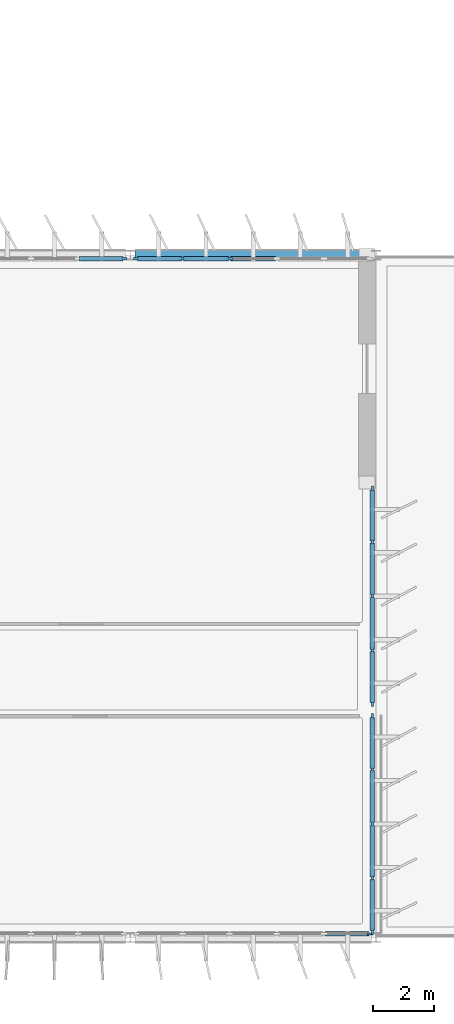
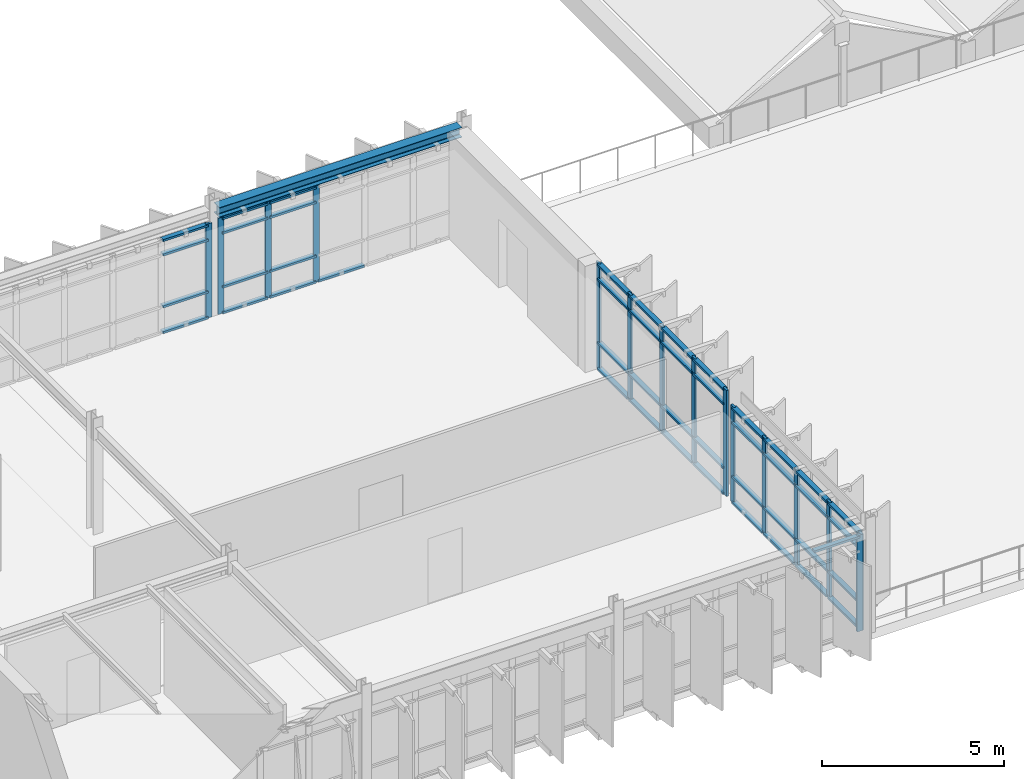
# One storey, part 13 of 35: 61 members, 1 beam, 5 elements without a shape of their own.
"""IFC4 building model written with IfcOpenShell, lengths in metres."""

from ifc_helpers import new_model, si_unit, direction, frame, origin, origin_2d, place, context, subcontext, project, spatial, rectangle, i_section, extrude, material, layer, layer_set, material_profile, profile_set, type_object, element, aggregate, save


model = new_model("IFC4")

# Units and contexts
model_context = context("Model", 3, precision=1e-05, world=origin(), true_north=direction((0.0, 1.0)))
body_context = subcontext(model_context, "Body", "Model", "MODEL_VIEW")
ifc_project = project(units=[si_unit("LENGTHUNIT", "METRE"), si_unit("AREAUNIT", "SQUARE_METRE"), si_unit("VOLUMEUNIT", "CUBIC_METRE"), si_unit("PLANEANGLEUNIT", "RADIAN"), si_unit("MASSUNIT", "GRAM", prefix="KILO")], contexts=[model_context])

# Site, building, storey
site_placement = place(None, origin())
site = spatial("IfcSite", under=ifc_project, at=site_placement, CompositionType="ELEMENT")
building_placement = place(site_placement, origin())
building = spatial("IfcBuilding", under=site, at=building_placement, Name="Valkorina Park Police Headquarters", CompositionType="ELEMENT")
storey_placement = place(building_placement, frame((0.0, 0.0, 27.199951171875)))
storey = spatial("IfcBuildingStorey", under=building, at=storey_placement, Name="L07", CompositionType="ELEMENT", Elevation=27.199951171875)

# Beam
ifc_material_1 = material(Name="Steel S355", Category="steel")
ifc_material_profile_1 = material_profile(ifc_material_1, i_section(OverallWidth=0.300048828125, OverallDepth=0.330078125, WebThickness=0.009521484375, FlangeThickness=0.0166015625, FilletRadius=0.027099609375, at=origin_2d()), Name="HEA 340")
ifc_profile_set_1 = profile_set([ifc_material_profile_1], Name="Steel S355")
beam_type = type_object("IfcBeamType", Name="BM-S355-HEA340-SPN", PredefinedType="SPANDREL", material=ifc_profile_set_1)
beam_placement = place(storey_placement, frame((64.949951171875, 59.199951171875, 3.405029296875), z_axis=(1.0, 0.0, 0.0), x_axis=(0.0, 1.0, 0.0)))
element("IfcBeam", 1, at=beam_placement, inside=storey, type_object=beam_type, Name="L07 Framing Beam 2752", PredefinedType="SPANDREL", context=body_context, shape_type="SweptSolid", body=[
    extrude(i_section(OverallWidth=0.300048828125, OverallDepth=0.330078125, WebThickness=0.009521484375, FlangeThickness=0.0166015625, FilletRadius=0.027099609375, at=origin_2d()), origin(), (0.0, 0.0, 1.0), 7.699951171875),
])

# Curtain wall, member
ifc_material_2 = material(Name="Thermally broken aluminium AW-6060", Category="aluminium")
ifc_layer_1 = layer(ifc_material_2, 0.18994140625)
ifc_layer_set_1 = layer_set([ifc_layer_1], Name="Thermally broken aluminium AW-6060")
curtain_wall_type_1 = type_object("IfcCurtainWallType", Name="CW-V5-7680x3230", PredefinedType="NOTDEFINED", material=ifc_layer_set_1)
curtain_wall_1_placement = place(storey_placement, origin())
curtain_wall_1 = element("IfcCurtainWall", 2, at=curtain_wall_1_placement, inside=storey, type_object=curtain_wall_type_1, Name="L07 Unitised Curtain Wall 133", PredefinedType="NOTDEFINED")
ifc_material_profile_2 = material_profile(ifc_material_2, rectangle(XDim=0.070068359375, YDim=0.18994140625, at=origin_2d()), Name="CWM-02 70x190")
ifc_profile_set_2 = profile_set([ifc_material_profile_2], Name="Thermally broken aluminium AW-6060")
member_type_1 = type_object("IfcMemberType", Name="CWM-70x190", PredefinedType="MULLION", material=ifc_profile_set_2)
member_1_placement = place(storey_placement, frame((72.60498046875, 37.1201171875, 0.0), z_axis=(0.0, 0.0, 1.0), x_axis=(0.0, -1.0, 0.0)))
member_1 = element("IfcMember", 3, at=member_1_placement, type_object=member_type_1, Name="CW-V5-768-323 mullion 1", PredefinedType="MULLION", context=body_context, shape_type="SweptSolid", body=[
    extrude(rectangle(XDim=0.070068359375, YDim=0.18994140625, at=origin_2d()), origin(), (0.0, 0.0, 1.0), 3.22998046875),
])

ifc_layer_2 = layer(ifc_material_2, 0.18994140625)
ifc_layer_set_2 = layer_set([ifc_layer_2], Name="Thermally broken aluminium AW-6060")
curtain_wall_type_2 = type_object("IfcCurtainWallType", Name="CW-V5-7680x3160", PredefinedType="NOTDEFINED", material=ifc_layer_set_2)
curtain_wall_2_placement = place(storey_placement, origin())
curtain_wall_2 = element("IfcCurtainWall", 4, at=curtain_wall_2_placement, inside=storey, type_object=curtain_wall_type_2, Name="L07 Unitised Curtain Wall 152", PredefinedType="NOTDEFINED")
member_2_placement = place(storey_placement, frame((64.60498046875, 59.080078125, 0.0), z_axis=(0.0, 0.0, 1.0), x_axis=(0.0, 1.0, 0.0)))
member_2 = element("IfcMember", 5, at=member_2_placement, type_object=member_type_1, Name="CW-V5-768-316 mullion 6", PredefinedType="MULLION", context=body_context, shape_type="SweptSolid", body=[
    extrude(rectangle(XDim=0.070068359375, YDim=0.18994140625, at=origin_2d()), origin(), (0.0, 0.0, 1.0), 3.16015625),
])

# Curtain wall, members
curtain_wall_3_placement = place(storey_placement, origin())
curtain_wall_3 = element("IfcCurtainWall", 6, at=curtain_wall_3_placement, inside=storey, type_object=curtain_wall_type_1, Name="L07 Unitised Curtain Wall 153", PredefinedType="NOTDEFINED")
member_3_placement = place(storey_placement, frame((64.9951171875, 59.080078125, 0.0), z_axis=(0.0, 0.0, 1.0), x_axis=(0.0, 1.0, 0.0)))
member_3 = element("IfcMember", 7, at=member_3_placement, type_object=member_type_1, Name="CW-V5-768-323 mullion 1", PredefinedType="MULLION", context=body_context, shape_type="SweptSolid", body=[
    extrude(rectangle(XDim=0.070068359375, YDim=0.18994140625, at=origin_2d()), origin(), (0.0, 0.0, 1.0), 3.22998046875),
])
member_4_placement = place(storey_placement, frame((66.49609375, 59.080078125, 0.0), z_axis=(0.0, 0.0, 1.0), x_axis=(0.0, 1.0, 0.0)))
member_4 = element("IfcMember", 8, at=member_4_placement, type_object=member_type_1, Name="CW-V5-768-323 mullion 2", PredefinedType="MULLION", context=body_context, shape_type="SweptSolid", body=[
    extrude(rectangle(XDim=0.070068359375, YDim=0.18994140625, at=origin_2d()), origin(), (0.0, 0.0, 1.0), 3.22998046875),
])
member_5_placement = place(storey_placement, frame((68.031982421875, 59.080078125, 0.0), z_axis=(0.0, 0.0, 1.0), x_axis=(0.0, 1.0, 0.0)))
member_5 = element("IfcMember", 9, at=member_5_placement, type_object=member_type_1, Name="CW-V5-768-323 mullion 3", PredefinedType="MULLION", context=body_context, shape_type="SweptSolid", body=[
    extrude(rectangle(XDim=0.070068359375, YDim=0.18994140625, at=origin_2d()), origin(), (0.0, 0.0, 1.0), 3.22998046875),
])

ifc_layer_3 = layer(ifc_material_2, 0.18994140625)
ifc_layer_set_3 = layer_set([ifc_layer_3], Name="Thermally broken aluminium AW-6060")
curtain_wall_type_3 = type_object("IfcCurtainWallType", Name="CW-V5-7060x3560", PredefinedType="NOTDEFINED", material=ifc_layer_set_3)
curtain_wall_4_placement = place(storey_placement, origin())
curtain_wall_4 = element("IfcCurtainWall", 10, at=curtain_wall_4_placement, inside=storey, type_object=curtain_wall_type_3, Name="L07 Unitised Curtain Wall 154", PredefinedType="NOTDEFINED")
member_6_placement = place(storey_placement, frame((72.679931640625, 51.594970703125, 0.0), z_axis=(0.0, 0.0, 1.0), x_axis=(1.0, 0.0, 0.0)))
member_6 = element("IfcMember", 11, at=member_6_placement, type_object=member_type_1, Name="CW-V5-706-356 mullion 1", PredefinedType="MULLION", context=body_context, shape_type="SweptSolid", body=[
    extrude(rectangle(XDim=0.070068359375, YDim=0.18994140625, at=origin_2d()), origin(), (0.0, 0.0, 1.0), 3.56005859375),
])
member_7_placement = place(storey_placement, frame((72.679931640625, 49.864990234375, 0.0), z_axis=(0.0, 0.0, 1.0), x_axis=(1.0, 0.0, 0.0)))
member_7 = element("IfcMember", 12, at=member_7_placement, type_object=member_type_1, Name="CW-V5-706-356 mullion 2", PredefinedType="MULLION", context=body_context, shape_type="SweptSolid", body=[
    extrude(rectangle(XDim=0.070068359375, YDim=0.18994140625, at=origin_2d()), origin(), (0.0, 0.0, 1.0), 3.56005859375),
])
member_8_placement = place(storey_placement, frame((72.679931640625, 48.10009765625, 0.0), z_axis=(0.0, 0.0, 1.0), x_axis=(1.0, 0.0, 0.0)))
member_8 = element("IfcMember", 13, at=member_8_placement, type_object=member_type_1, Name="CW-V5-706-356 mullion 3", PredefinedType="MULLION", context=body_context, shape_type="SweptSolid", body=[
    extrude(rectangle(XDim=0.070068359375, YDim=0.18994140625, at=origin_2d()), origin(), (0.0, 0.0, 1.0), 3.56005859375),
])
member_9_placement = place(storey_placement, frame((72.679931640625, 46.3349609375, 0.0), z_axis=(0.0, 0.0, 1.0), x_axis=(1.0, 0.0, 0.0)))
member_9 = element("IfcMember", 14, at=member_9_placement, type_object=member_type_1, Name="CW-V5-706-356 mullion 4", PredefinedType="MULLION", context=body_context, shape_type="SweptSolid", body=[
    extrude(rectangle(XDim=0.070068359375, YDim=0.18994140625, at=origin_2d()), origin(), (0.0, 0.0, 1.0), 3.56005859375),
])
member_10_placement = place(storey_placement, frame((72.679931640625, 44.60498046875, 0.0), z_axis=(0.0, 0.0, 1.0), x_axis=(1.0, 0.0, 0.0)))
member_10 = element("IfcMember", 15, at=member_10_placement, type_object=member_type_1, Name="CW-V5-706-356 mullion 5", PredefinedType="MULLION", context=body_context, shape_type="SweptSolid", body=[
    extrude(rectangle(XDim=0.070068359375, YDim=0.18994140625, at=origin_2d()), origin(), (0.0, 0.0, 1.0), 3.56005859375),
])

ifc_layer_4 = layer(ifc_material_2, 0.18994140625)
ifc_layer_set_4 = layer_set([ifc_layer_4], Name="Thermally broken aluminium AW-6060")
curtain_wall_type_4 = type_object("IfcCurtainWallType", Name="CW-V5-7070x3230", PredefinedType="NOTDEFINED", material=ifc_layer_set_4)
curtain_wall_5_placement = place(storey_placement, origin())
curtain_wall_5 = element("IfcCurtainWall", 16, at=curtain_wall_5_placement, inside=storey, type_object=curtain_wall_type_4, Name="L07 Unitised Curtain Wall 155", PredefinedType="NOTDEFINED")
member_11_placement = place(storey_placement, frame((72.679931640625, 44.195068359375, 0.0), z_axis=(0.0, 0.0, 1.0), x_axis=(1.0, 0.0, 0.0)))
member_11 = element("IfcMember", 17, at=member_11_placement, type_object=member_type_1, Name="CW-V5-707-323 mullion 1", PredefinedType="MULLION", context=body_context, shape_type="SweptSolid", body=[
    extrude(rectangle(XDim=0.070068359375, YDim=0.18994140625, at=origin_2d()), origin(), (0.0, 0.0, 1.0), 3.22998046875),
])
member_12_placement = place(storey_placement, frame((72.679931640625, 42.46240234375, 0.0), z_axis=(0.0, 0.0, 1.0), x_axis=(1.0, 0.0, 0.0)))
member_12 = element("IfcMember", 18, at=member_12_placement, type_object=member_type_1, Name="CW-V5-707-323 mullion 2", PredefinedType="MULLION", context=body_context, shape_type="SweptSolid", body=[
    extrude(rectangle(XDim=0.070068359375, YDim=0.18994140625, at=origin_2d()), origin(), (0.0, 0.0, 1.0), 3.22998046875),
])
member_13_placement = place(storey_placement, frame((72.679931640625, 40.695068359375, 0.0), z_axis=(0.0, 0.0, 1.0), x_axis=(1.0, 0.0, 0.0)))
member_13 = element("IfcMember", 19, at=member_13_placement, type_object=member_type_1, Name="CW-V5-707-323 mullion 3", PredefinedType="MULLION", context=body_context, shape_type="SweptSolid", body=[
    extrude(rectangle(XDim=0.070068359375, YDim=0.18994140625, at=origin_2d()), origin(), (0.0, 0.0, 1.0), 3.22998046875),
])
member_14_placement = place(storey_placement, frame((72.679931640625, 38.927490234375, 0.0), z_axis=(0.0, 0.0, 1.0), x_axis=(1.0, 0.0, 0.0)))
member_14 = element("IfcMember", 20, at=member_14_placement, type_object=member_type_1, Name="CW-V5-707-323 mullion 4", PredefinedType="MULLION", context=body_context, shape_type="SweptSolid", body=[
    extrude(rectangle(XDim=0.070068359375, YDim=0.18994140625, at=origin_2d()), origin(), (0.0, 0.0, 1.0), 3.22998046875),
])
member_15_placement = place(storey_placement, frame((72.679931640625, 37.195068359375, 0.0), z_axis=(0.0, 0.0, 1.0), x_axis=(1.0, 0.0, 0.0)))
member_15 = element("IfcMember", 21, at=member_15_placement, type_object=member_type_1, Name="CW-V5-707-323 mullion 5", PredefinedType="MULLION", context=body_context, shape_type="SweptSolid", body=[
    extrude(rectangle(XDim=0.070068359375, YDim=0.18994140625, at=origin_2d()), origin(), (0.0, 0.0, 1.0), 3.22998046875),
])

# Member
ifc_material_profile_3 = material_profile(ifc_material_2, rectangle(XDim=0.14990234375, YDim=0.070068359375, at=origin_2d()), Name="CWT-02 150x70")
ifc_profile_set_3 = profile_set([ifc_material_profile_3], Name="Thermally broken aluminium AW-6060")
member_type_2 = type_object("IfcMemberType", Name="CWT-150x70", PredefinedType="USERDEFINED", material=ifc_profile_set_3)
member_16_placement = place(storey_placement, frame((72.570068359375, 37.1201171875, 3.195068359375), z_axis=(-1.0, 0.0, 0.0), x_axis=(0.0, -1.0, 0.0)))
member_16 = element("IfcMember", 22, at=member_16_placement, type_object=member_type_2, Name="CW-V5-768-323 transom 1.4", ObjectType="TRANSOM", PredefinedType="USERDEFINED", context=body_context, shape_type="SweptSolid", body=[
    extrude(rectangle(XDim=0.14990234375, YDim=0.070068359375, at=origin_2d()), origin(), (0.0, 0.0, 1.0), 1.43115234375),
])

aggregate(curtain_wall_1, [member_1, member_16])

member_17_placement = place(storey_placement, frame((63.138916015625, 59.080078125, 0.03515625), z_axis=(1.0, 0.0, 0.0), x_axis=(0.0, 1.0, 0.0)))
member_17 = element("IfcMember", 23, at=member_17_placement, type_object=member_type_2, Name="CW-V5-768-316 transom 5.1", ObjectType="TRANSOM", PredefinedType="USERDEFINED", context=body_context, shape_type="SweptSolid", body=[
    extrude(rectangle(XDim=0.14990234375, YDim=0.070068359375, at=origin_2d()), origin(), (0.0, 0.0, 1.0), 1.43115234375),
])

member_18_placement = place(storey_placement, frame((63.138916015625, 59.080078125, 0.900146484375), z_axis=(1.0, 0.0, 0.0), x_axis=(0.0, 1.0, 0.0)))
member_18 = element("IfcMember", 24, at=member_18_placement, type_object=member_type_2, Name="CW-V5-768-316 transom 5.2", ObjectType="TRANSOM", PredefinedType="USERDEFINED", context=body_context, shape_type="SweptSolid", body=[
    extrude(rectangle(XDim=0.14990234375, YDim=0.070068359375, at=origin_2d()), origin(), (0.0, 0.0, 1.0), 1.43115234375),
])

member_19_placement = place(storey_placement, frame((63.138916015625, 59.080078125, 2.64013671875), z_axis=(1.0, 0.0, 0.0), x_axis=(0.0, 1.0, 0.0)))
member_19 = element("IfcMember", 25, at=member_19_placement, type_object=member_type_2, Name="CW-V5-768-316 transom 5.3", ObjectType="TRANSOM", PredefinedType="USERDEFINED", context=body_context, shape_type="SweptSolid", body=[
    extrude(rectangle(XDim=0.14990234375, YDim=0.070068359375, at=origin_2d()), origin(), (0.0, 0.0, 1.0), 1.43115234375),
])

member_20_placement = place(storey_placement, frame((63.138916015625, 59.080078125, 3.125), z_axis=(1.0, 0.0, 0.0), x_axis=(0.0, 1.0, 0.0)))
member_20 = element("IfcMember", 26, at=member_20_placement, type_object=member_type_2, Name="CW-V5-768-316 transom 5.4", ObjectType="TRANSOM", PredefinedType="USERDEFINED", context=body_context, shape_type="SweptSolid", body=[
    extrude(rectangle(XDim=0.14990234375, YDim=0.070068359375, at=origin_2d()), origin(), (0.0, 0.0, 1.0), 1.43115234375),
])

aggregate(curtain_wall_2, [member_2, member_17, member_18, member_19, member_20])

member_21_placement = place(storey_placement, frame((65.030029296875, 59.080078125, 0.03515625), z_axis=(1.0, 0.0, 0.0), x_axis=(0.0, 1.0, 0.0)))
member_21 = element("IfcMember", 27, at=member_21_placement, type_object=member_type_2, Name="CW-V5-768-323 transom 1.1", ObjectType="TRANSOM", PredefinedType="USERDEFINED", context=body_context, shape_type="SweptSolid", body=[
    extrude(rectangle(XDim=0.14990234375, YDim=0.070068359375, at=origin_2d()), origin(), (0.0, 0.0, 1.0), 1.430908203125),
])

member_22_placement = place(storey_placement, frame((65.030029296875, 59.080078125, 0.900146484375), z_axis=(1.0, 0.0, 0.0), x_axis=(0.0, 1.0, 0.0)))
member_22 = element("IfcMember", 28, at=member_22_placement, type_object=member_type_2, Name="CW-V5-768-323 transom 1.2", ObjectType="TRANSOM", PredefinedType="USERDEFINED", context=body_context, shape_type="SweptSolid", body=[
    extrude(rectangle(XDim=0.14990234375, YDim=0.070068359375, at=origin_2d()), origin(), (0.0, 0.0, 1.0), 1.430908203125),
])

member_23_placement = place(storey_placement, frame((65.030029296875, 59.080078125, 2.7099609375), z_axis=(1.0, 0.0, 0.0), x_axis=(0.0, 1.0, 0.0)))
member_23 = element("IfcMember", 29, at=member_23_placement, type_object=member_type_2, Name="CW-V5-768-323 transom 1.3", ObjectType="TRANSOM", PredefinedType="USERDEFINED", context=body_context, shape_type="SweptSolid", body=[
    extrude(rectangle(XDim=0.14990234375, YDim=0.070068359375, at=origin_2d()), origin(), (0.0, 0.0, 1.0), 1.430908203125),
])

member_24_placement = place(storey_placement, frame((65.030029296875, 59.080078125, 3.195068359375), z_axis=(1.0, 0.0, 0.0), x_axis=(0.0, 1.0, 0.0)))
member_24 = element("IfcMember", 30, at=member_24_placement, type_object=member_type_2, Name="CW-V5-768-323 transom 1.4", ObjectType="TRANSOM", PredefinedType="USERDEFINED", context=body_context, shape_type="SweptSolid", body=[
    extrude(rectangle(XDim=0.14990234375, YDim=0.070068359375, at=origin_2d()), origin(), (0.0, 0.0, 1.0), 1.430908203125),
])

member_25_placement = place(storey_placement, frame((66.531005859375, 59.080078125, 0.03515625), z_axis=(1.0, 0.0, 0.0), x_axis=(0.0, 1.0, 0.0)))
member_25 = element("IfcMember", 31, at=member_25_placement, type_object=member_type_2, Name="CW-V5-768-323 transom 2.1", ObjectType="TRANSOM", PredefinedType="USERDEFINED", context=body_context, shape_type="SweptSolid", body=[
    extrude(rectangle(XDim=0.14990234375, YDim=0.070068359375, at=origin_2d()), origin(), (0.0, 0.0, 1.0), 1.466064453125),
])

member_26_placement = place(storey_placement, frame((66.531005859375, 59.080078125, 0.900146484375), z_axis=(1.0, 0.0, 0.0), x_axis=(0.0, 1.0, 0.0)))
member_26 = element("IfcMember", 32, at=member_26_placement, type_object=member_type_2, Name="CW-V5-768-323 transom 2.2", ObjectType="TRANSOM", PredefinedType="USERDEFINED", context=body_context, shape_type="SweptSolid", body=[
    extrude(rectangle(XDim=0.14990234375, YDim=0.070068359375, at=origin_2d()), origin(), (0.0, 0.0, 1.0), 1.466064453125),
])

member_27_placement = place(storey_placement, frame((66.531005859375, 59.080078125, 2.7099609375), z_axis=(1.0, 0.0, 0.0), x_axis=(0.0, 1.0, 0.0)))
member_27 = element("IfcMember", 33, at=member_27_placement, type_object=member_type_2, Name="CW-V5-768-323 transom 2.3", ObjectType="TRANSOM", PredefinedType="USERDEFINED", context=body_context, shape_type="SweptSolid", body=[
    extrude(rectangle(XDim=0.14990234375, YDim=0.070068359375, at=origin_2d()), origin(), (0.0, 0.0, 1.0), 1.466064453125),
])

member_28_placement = place(storey_placement, frame((66.531005859375, 59.080078125, 3.195068359375), z_axis=(1.0, 0.0, 0.0), x_axis=(0.0, 1.0, 0.0)))
member_28 = element("IfcMember", 34, at=member_28_placement, type_object=member_type_2, Name="CW-V5-768-323 transom 2.4", ObjectType="TRANSOM", PredefinedType="USERDEFINED", context=body_context, shape_type="SweptSolid", body=[
    extrude(rectangle(XDim=0.14990234375, YDim=0.070068359375, at=origin_2d()), origin(), (0.0, 0.0, 1.0), 1.466064453125),
])

member_29_placement = place(storey_placement, frame((68.06689453125, 59.080078125, 0.03515625), z_axis=(1.0, 0.0, 0.0), x_axis=(0.0, 1.0, 0.0)))
member_29 = element("IfcMember", 35, at=member_29_placement, type_object=member_type_2, Name="CW-V5-768-323 transom 3.1", ObjectType="TRANSOM", PredefinedType="USERDEFINED", context=body_context, shape_type="SweptSolid", body=[
    extrude(rectangle(XDim=0.14990234375, YDim=0.070068359375, at=origin_2d()), origin(), (0.0, 0.0, 1.0), 1.466064453125),
])

aggregate(curtain_wall_3, [member_3, member_4, member_5, member_21, member_22, member_23, member_24, member_25, member_26, member_27, member_28, member_29])

member_30_placement = place(storey_placement, frame((72.679931640625, 51.56005859375, 0.03515625), z_axis=(0.0, -1.0, 0.0), x_axis=(1.0, 0.0, 0.0)))
member_30 = element("IfcMember", 36, at=member_30_placement, type_object=member_type_2, Name="CW-V5-706-356 transom 1.1", ObjectType="TRANSOM", PredefinedType="USERDEFINED", context=body_context, shape_type="SweptSolid", body=[
    extrude(rectangle(XDim=0.14990234375, YDim=0.070068359375, at=origin_2d()), origin(), (0.0, 0.0, 1.0), 1.66015625),
])

member_31_placement = place(storey_placement, frame((72.679931640625, 51.56005859375, 0.900146484375), z_axis=(0.0, -1.0, 0.0), x_axis=(1.0, 0.0, 0.0)))
member_31 = element("IfcMember", 37, at=member_31_placement, type_object=member_type_2, Name="CW-V5-706-356 transom 1.2", ObjectType="TRANSOM", PredefinedType="USERDEFINED", context=body_context, shape_type="SweptSolid", body=[
    extrude(rectangle(XDim=0.14990234375, YDim=0.070068359375, at=origin_2d()), origin(), (0.0, 0.0, 1.0), 1.66015625),
])

member_32_placement = place(storey_placement, frame((72.679931640625, 51.56005859375, 3.0400390625), z_axis=(0.0, -1.0, 0.0), x_axis=(1.0, 0.0, 0.0)))
member_32 = element("IfcMember", 38, at=member_32_placement, type_object=member_type_2, Name="CW-V5-706-356 transom 1.3", ObjectType="TRANSOM", PredefinedType="USERDEFINED", context=body_context, shape_type="SweptSolid", body=[
    extrude(rectangle(XDim=0.14990234375, YDim=0.070068359375, at=origin_2d()), origin(), (0.0, 0.0, 1.0), 1.66015625),
])

member_33_placement = place(storey_placement, frame((72.679931640625, 51.56005859375, 3.525146484375), z_axis=(0.0, -1.0, 0.0), x_axis=(1.0, 0.0, 0.0)))
member_33 = element("IfcMember", 39, at=member_33_placement, type_object=member_type_2, Name="CW-V5-706-356 transom 1.4", ObjectType="TRANSOM", PredefinedType="USERDEFINED", context=body_context, shape_type="SweptSolid", body=[
    extrude(rectangle(XDim=0.14990234375, YDim=0.070068359375, at=origin_2d()), origin(), (0.0, 0.0, 1.0), 1.66015625),
])

member_34_placement = place(storey_placement, frame((72.679931640625, 49.830078125, 0.03515625), z_axis=(0.0, -1.0, 0.0), x_axis=(1.0, 0.0, 0.0)))
member_34 = element("IfcMember", 40, at=member_34_placement, type_object=member_type_2, Name="CW-V5-706-356 transom 2.1", ObjectType="TRANSOM", PredefinedType="USERDEFINED", context=body_context, shape_type="SweptSolid", body=[
    extrude(rectangle(XDim=0.14990234375, YDim=0.070068359375, at=origin_2d()), origin(), (0.0, 0.0, 1.0), 1.695068359375),
])

member_35_placement = place(storey_placement, frame((72.679931640625, 49.830078125, 0.900146484375), z_axis=(0.0, -1.0, 0.0), x_axis=(1.0, 0.0, 0.0)))
member_35 = element("IfcMember", 41, at=member_35_placement, type_object=member_type_2, Name="CW-V5-706-356 transom 2.2", ObjectType="TRANSOM", PredefinedType="USERDEFINED", context=body_context, shape_type="SweptSolid", body=[
    extrude(rectangle(XDim=0.14990234375, YDim=0.070068359375, at=origin_2d()), origin(), (0.0, 0.0, 1.0), 1.695068359375),
])

member_36_placement = place(storey_placement, frame((72.679931640625, 49.830078125, 3.0400390625), z_axis=(0.0, -1.0, 0.0), x_axis=(1.0, 0.0, 0.0)))
member_36 = element("IfcMember", 42, at=member_36_placement, type_object=member_type_2, Name="CW-V5-706-356 transom 2.3", ObjectType="TRANSOM", PredefinedType="USERDEFINED", context=body_context, shape_type="SweptSolid", body=[
    extrude(rectangle(XDim=0.14990234375, YDim=0.070068359375, at=origin_2d()), origin(), (0.0, 0.0, 1.0), 1.695068359375),
])

member_37_placement = place(storey_placement, frame((72.679931640625, 49.830078125, 3.525146484375), z_axis=(0.0, -1.0, 0.0), x_axis=(1.0, 0.0, 0.0)))
member_37 = element("IfcMember", 43, at=member_37_placement, type_object=member_type_2, Name="CW-V5-706-356 transom 2.4", ObjectType="TRANSOM", PredefinedType="USERDEFINED", context=body_context, shape_type="SweptSolid", body=[
    extrude(rectangle(XDim=0.14990234375, YDim=0.070068359375, at=origin_2d()), origin(), (0.0, 0.0, 1.0), 1.695068359375),
])

member_38_placement = place(storey_placement, frame((72.679931640625, 48.06494140625, 0.03515625), z_axis=(0.0, -1.0, 0.0), x_axis=(1.0, 0.0, 0.0)))
member_38 = element("IfcMember", 44, at=member_38_placement, type_object=member_type_2, Name="CW-V5-706-356 transom 3.1", ObjectType="TRANSOM", PredefinedType="USERDEFINED", context=body_context, shape_type="SweptSolid", body=[
    extrude(rectangle(XDim=0.14990234375, YDim=0.070068359375, at=origin_2d()), origin(), (0.0, 0.0, 1.0), 1.69482421875),
])

member_39_placement = place(storey_placement, frame((72.679931640625, 48.06494140625, 0.900146484375), z_axis=(0.0, -1.0, 0.0), x_axis=(1.0, 0.0, 0.0)))
member_39 = element("IfcMember", 45, at=member_39_placement, type_object=member_type_2, Name="CW-V5-706-356 transom 3.2", ObjectType="TRANSOM", PredefinedType="USERDEFINED", context=body_context, shape_type="SweptSolid", body=[
    extrude(rectangle(XDim=0.14990234375, YDim=0.070068359375, at=origin_2d()), origin(), (0.0, 0.0, 1.0), 1.69482421875),
])

member_40_placement = place(storey_placement, frame((72.679931640625, 48.06494140625, 3.0400390625), z_axis=(0.0, -1.0, 0.0), x_axis=(1.0, 0.0, 0.0)))
member_40 = element("IfcMember", 46, at=member_40_placement, type_object=member_type_2, Name="CW-V5-706-356 transom 3.3", ObjectType="TRANSOM", PredefinedType="USERDEFINED", context=body_context, shape_type="SweptSolid", body=[
    extrude(rectangle(XDim=0.14990234375, YDim=0.070068359375, at=origin_2d()), origin(), (0.0, 0.0, 1.0), 1.69482421875),
])

member_41_placement = place(storey_placement, frame((72.679931640625, 48.06494140625, 3.525146484375), z_axis=(0.0, -1.0, 0.0), x_axis=(1.0, 0.0, 0.0)))
member_41 = element("IfcMember", 47, at=member_41_placement, type_object=member_type_2, Name="CW-V5-706-356 transom 3.4", ObjectType="TRANSOM", PredefinedType="USERDEFINED", context=body_context, shape_type="SweptSolid", body=[
    extrude(rectangle(XDim=0.14990234375, YDim=0.070068359375, at=origin_2d()), origin(), (0.0, 0.0, 1.0), 1.69482421875),
])

member_42_placement = place(storey_placement, frame((72.679931640625, 46.300048828125, 0.03515625), z_axis=(0.0, -1.0, 0.0), x_axis=(1.0, 0.0, 0.0)))
member_42 = element("IfcMember", 48, at=member_42_placement, type_object=member_type_2, Name="CW-V5-706-356 transom 4.1", ObjectType="TRANSOM", PredefinedType="USERDEFINED", context=body_context, shape_type="SweptSolid", body=[
    extrude(rectangle(XDim=0.14990234375, YDim=0.070068359375, at=origin_2d()), origin(), (0.0, 0.0, 1.0), 1.66015625),
])

member_43_placement = place(storey_placement, frame((72.679931640625, 46.300048828125, 0.900146484375), z_axis=(0.0, -1.0, 0.0), x_axis=(1.0, 0.0, 0.0)))
member_43 = element("IfcMember", 49, at=member_43_placement, type_object=member_type_2, Name="CW-V5-706-356 transom 4.2", ObjectType="TRANSOM", PredefinedType="USERDEFINED", context=body_context, shape_type="SweptSolid", body=[
    extrude(rectangle(XDim=0.14990234375, YDim=0.070068359375, at=origin_2d()), origin(), (0.0, 0.0, 1.0), 1.66015625),
])

member_44_placement = place(storey_placement, frame((72.679931640625, 46.300048828125, 3.0400390625), z_axis=(0.0, -1.0, 0.0), x_axis=(1.0, 0.0, 0.0)))
member_44 = element("IfcMember", 50, at=member_44_placement, type_object=member_type_2, Name="CW-V5-706-356 transom 4.3", ObjectType="TRANSOM", PredefinedType="USERDEFINED", context=body_context, shape_type="SweptSolid", body=[
    extrude(rectangle(XDim=0.14990234375, YDim=0.070068359375, at=origin_2d()), origin(), (0.0, 0.0, 1.0), 1.66015625),
])

member_45_placement = place(storey_placement, frame((72.679931640625, 46.300048828125, 3.525146484375), z_axis=(0.0, -1.0, 0.0), x_axis=(1.0, 0.0, 0.0)))
member_45 = element("IfcMember", 51, at=member_45_placement, type_object=member_type_2, Name="CW-V5-706-356 transom 4.4", ObjectType="TRANSOM", PredefinedType="USERDEFINED", context=body_context, shape_type="SweptSolid", body=[
    extrude(rectangle(XDim=0.14990234375, YDim=0.070068359375, at=origin_2d()), origin(), (0.0, 0.0, 1.0), 1.66015625),
])

aggregate(curtain_wall_4, [member_6, member_7, member_8, member_9, member_10, member_30, member_31, member_32, member_33, member_34, member_35, member_36, member_37, member_38, member_39, member_40, member_41, member_42, member_43, member_44, member_45])

member_46_placement = place(storey_placement, frame((72.679931640625, 44.159912109375, 0.03515625), z_axis=(0.0, -1.0, 0.0), x_axis=(1.0, 0.0, 0.0)))
member_46 = element("IfcMember", 52, at=member_46_placement, type_object=member_type_2, Name="CW-V5-707-323 transom 1.1", ObjectType="TRANSOM", PredefinedType="USERDEFINED", context=body_context, shape_type="SweptSolid", body=[
    extrude(rectangle(XDim=0.14990234375, YDim=0.070068359375, at=origin_2d()), origin(), (0.0, 0.0, 1.0), 1.662353515625),
])

member_47_placement = place(storey_placement, frame((72.679931640625, 44.159912109375, 0.900146484375), z_axis=(0.0, -1.0, 0.0), x_axis=(1.0, 0.0, 0.0)))
member_47 = element("IfcMember", 53, at=member_47_placement, type_object=member_type_2, Name="CW-V5-707-323 transom 1.2", ObjectType="TRANSOM", PredefinedType="USERDEFINED", context=body_context, shape_type="SweptSolid", body=[
    extrude(rectangle(XDim=0.14990234375, YDim=0.070068359375, at=origin_2d()), origin(), (0.0, 0.0, 1.0), 1.662353515625),
])

member_48_placement = place(storey_placement, frame((72.679931640625, 44.159912109375, 2.7099609375), z_axis=(0.0, -1.0, 0.0), x_axis=(1.0, 0.0, 0.0)))
member_48 = element("IfcMember", 54, at=member_48_placement, type_object=member_type_2, Name="CW-V5-707-323 transom 1.3", ObjectType="TRANSOM", PredefinedType="USERDEFINED", context=body_context, shape_type="SweptSolid", body=[
    extrude(rectangle(XDim=0.14990234375, YDim=0.070068359375, at=origin_2d()), origin(), (0.0, 0.0, 1.0), 1.662353515625),
])

member_49_placement = place(storey_placement, frame((72.679931640625, 44.159912109375, 3.195068359375), z_axis=(0.0, -1.0, 0.0), x_axis=(1.0, 0.0, 0.0)))
member_49 = element("IfcMember", 55, at=member_49_placement, type_object=member_type_2, Name="CW-V5-707-323 transom 1.4", ObjectType="TRANSOM", PredefinedType="USERDEFINED", context=body_context, shape_type="SweptSolid", body=[
    extrude(rectangle(XDim=0.14990234375, YDim=0.070068359375, at=origin_2d()), origin(), (0.0, 0.0, 1.0), 1.662353515625),
])

member_50_placement = place(storey_placement, frame((72.679931640625, 42.427490234375, 0.03515625), z_axis=(0.0, -1.0, 0.0), x_axis=(1.0, 0.0, 0.0)))
member_50 = element("IfcMember", 56, at=member_50_placement, type_object=member_type_2, Name="CW-V5-707-323 transom 2.1", ObjectType="TRANSOM", PredefinedType="USERDEFINED", context=body_context, shape_type="SweptSolid", body=[
    extrude(rectangle(XDim=0.14990234375, YDim=0.070068359375, at=origin_2d()), origin(), (0.0, 0.0, 1.0), 1.697509765625),
])

member_51_placement = place(storey_placement, frame((72.679931640625, 42.427490234375, 0.900146484375), z_axis=(0.0, -1.0, 0.0), x_axis=(1.0, 0.0, 0.0)))
member_51 = element("IfcMember", 57, at=member_51_placement, type_object=member_type_2, Name="CW-V5-707-323 transom 2.2", ObjectType="TRANSOM", PredefinedType="USERDEFINED", context=body_context, shape_type="SweptSolid", body=[
    extrude(rectangle(XDim=0.14990234375, YDim=0.070068359375, at=origin_2d()), origin(), (0.0, 0.0, 1.0), 1.697509765625),
])

member_52_placement = place(storey_placement, frame((72.679931640625, 42.427490234375, 2.7099609375), z_axis=(0.0, -1.0, 0.0), x_axis=(1.0, 0.0, 0.0)))
member_52 = element("IfcMember", 58, at=member_52_placement, type_object=member_type_2, Name="CW-V5-707-323 transom 2.3", ObjectType="TRANSOM", PredefinedType="USERDEFINED", context=body_context, shape_type="SweptSolid", body=[
    extrude(rectangle(XDim=0.14990234375, YDim=0.070068359375, at=origin_2d()), origin(), (0.0, 0.0, 1.0), 1.697509765625),
])

member_53_placement = place(storey_placement, frame((72.679931640625, 42.427490234375, 3.195068359375), z_axis=(0.0, -1.0, 0.0), x_axis=(1.0, 0.0, 0.0)))
member_53 = element("IfcMember", 59, at=member_53_placement, type_object=member_type_2, Name="CW-V5-707-323 transom 2.4", ObjectType="TRANSOM", PredefinedType="USERDEFINED", context=body_context, shape_type="SweptSolid", body=[
    extrude(rectangle(XDim=0.14990234375, YDim=0.070068359375, at=origin_2d()), origin(), (0.0, 0.0, 1.0), 1.697509765625),
])

member_54_placement = place(storey_placement, frame((72.679931640625, 40.659912109375, 0.03515625), z_axis=(0.0, -1.0, 0.0), x_axis=(1.0, 0.0, 0.0)))
member_54 = element("IfcMember", 60, at=member_54_placement, type_object=member_type_2, Name="CW-V5-707-323 transom 3.1", ObjectType="TRANSOM", PredefinedType="USERDEFINED", context=body_context, shape_type="SweptSolid", body=[
    extrude(rectangle(XDim=0.14990234375, YDim=0.070068359375, at=origin_2d()), origin(), (0.0, 0.0, 1.0), 1.697509765625),
])

member_55_placement = place(storey_placement, frame((72.679931640625, 40.659912109375, 0.900146484375), z_axis=(0.0, -1.0, 0.0), x_axis=(1.0, 0.0, 0.0)))
member_55 = element("IfcMember", 61, at=member_55_placement, type_object=member_type_2, Name="CW-V5-707-323 transom 3.2", ObjectType="TRANSOM", PredefinedType="USERDEFINED", context=body_context, shape_type="SweptSolid", body=[
    extrude(rectangle(XDim=0.14990234375, YDim=0.070068359375, at=origin_2d()), origin(), (0.0, 0.0, 1.0), 1.697509765625),
])

member_56_placement = place(storey_placement, frame((72.679931640625, 40.659912109375, 2.7099609375), z_axis=(0.0, -1.0, 0.0), x_axis=(1.0, 0.0, 0.0)))
member_56 = element("IfcMember", 62, at=member_56_placement, type_object=member_type_2, Name="CW-V5-707-323 transom 3.3", ObjectType="TRANSOM", PredefinedType="USERDEFINED", context=body_context, shape_type="SweptSolid", body=[
    extrude(rectangle(XDim=0.14990234375, YDim=0.070068359375, at=origin_2d()), origin(), (0.0, 0.0, 1.0), 1.697509765625),
])

member_57_placement = place(storey_placement, frame((72.679931640625, 40.659912109375, 3.195068359375), z_axis=(0.0, -1.0, 0.0), x_axis=(1.0, 0.0, 0.0)))
member_57 = element("IfcMember", 63, at=member_57_placement, type_object=member_type_2, Name="CW-V5-707-323 transom 3.4", ObjectType="TRANSOM", PredefinedType="USERDEFINED", context=body_context, shape_type="SweptSolid", body=[
    extrude(rectangle(XDim=0.14990234375, YDim=0.070068359375, at=origin_2d()), origin(), (0.0, 0.0, 1.0), 1.697509765625),
])

member_58_placement = place(storey_placement, frame((72.679931640625, 38.892578125, 0.03515625), z_axis=(0.0, -1.0, 0.0), x_axis=(1.0, 0.0, 0.0)))
member_58 = element("IfcMember", 64, at=member_58_placement, type_object=member_type_2, Name="CW-V5-707-323 transom 4.1", ObjectType="TRANSOM", PredefinedType="USERDEFINED", context=body_context, shape_type="SweptSolid", body=[
    extrude(rectangle(XDim=0.14990234375, YDim=0.070068359375, at=origin_2d()), origin(), (0.0, 0.0, 1.0), 1.66259765625),
])

member_59_placement = place(storey_placement, frame((72.679931640625, 38.892578125, 0.900146484375), z_axis=(0.0, -1.0, 0.0), x_axis=(1.0, 0.0, 0.0)))
member_59 = element("IfcMember", 65, at=member_59_placement, type_object=member_type_2, Name="CW-V5-707-323 transom 4.2", ObjectType="TRANSOM", PredefinedType="USERDEFINED", context=body_context, shape_type="SweptSolid", body=[
    extrude(rectangle(XDim=0.14990234375, YDim=0.070068359375, at=origin_2d()), origin(), (0.0, 0.0, 1.0), 1.66259765625),
])

member_60_placement = place(storey_placement, frame((72.679931640625, 38.892578125, 2.7099609375), z_axis=(0.0, -1.0, 0.0), x_axis=(1.0, 0.0, 0.0)))
member_60 = element("IfcMember", 66, at=member_60_placement, type_object=member_type_2, Name="CW-V5-707-323 transom 4.3", ObjectType="TRANSOM", PredefinedType="USERDEFINED", context=body_context, shape_type="SweptSolid", body=[
    extrude(rectangle(XDim=0.14990234375, YDim=0.070068359375, at=origin_2d()), origin(), (0.0, 0.0, 1.0), 1.66259765625),
])

member_61_placement = place(storey_placement, frame((72.679931640625, 38.892578125, 3.195068359375), z_axis=(0.0, -1.0, 0.0), x_axis=(1.0, 0.0, 0.0)))
member_61 = element("IfcMember", 67, at=member_61_placement, type_object=member_type_2, Name="CW-V5-707-323 transom 4.4", ObjectType="TRANSOM", PredefinedType="USERDEFINED", context=body_context, shape_type="SweptSolid", body=[
    extrude(rectangle(XDim=0.14990234375, YDim=0.070068359375, at=origin_2d()), origin(), (0.0, 0.0, 1.0), 1.66259765625),
])

aggregate(curtain_wall_5, [member_11, member_12, member_13, member_14, member_15, member_46, member_47, member_48, member_49, member_50, member_51, member_52, member_53, member_54, member_55, member_56, member_57, member_58, member_59, member_60, member_61])

save(model, "model.ifc")
